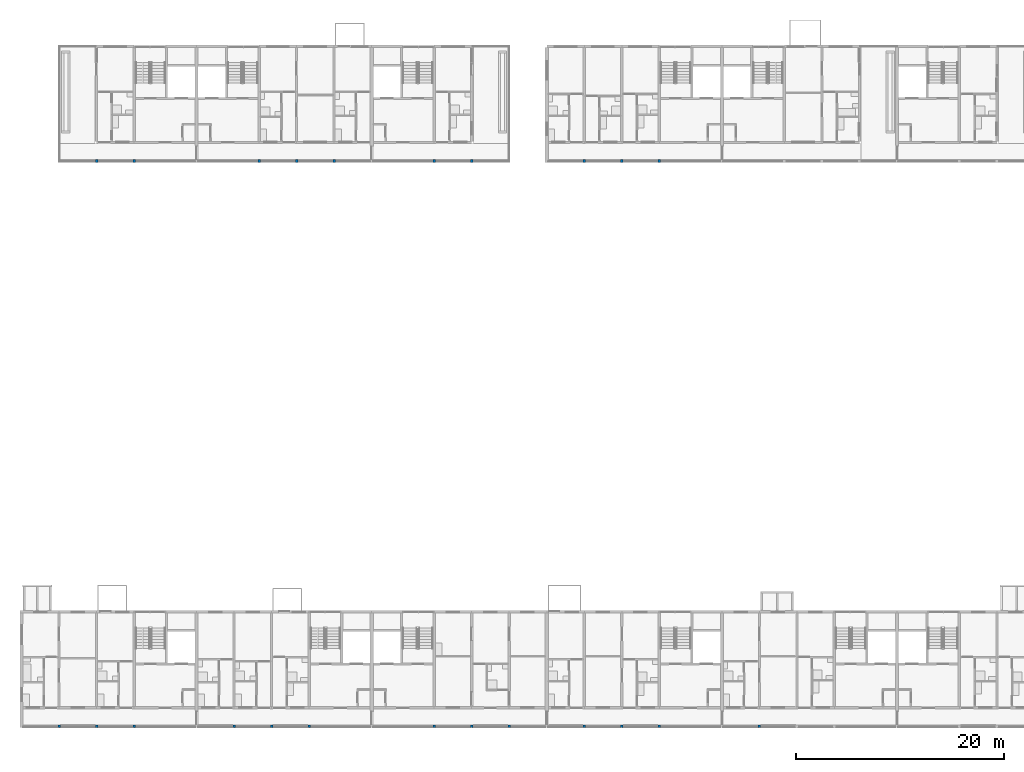
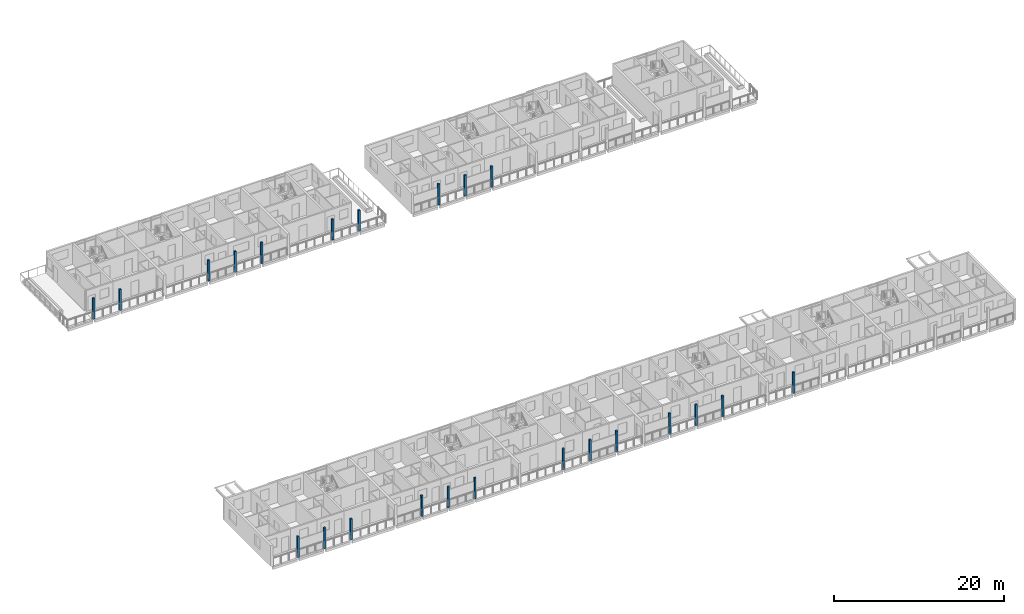
# One storey, part 1 of 94: 23 columns.
"""IFC4 building model written with IfcOpenShell, lengths in metres."""

from ifc_helpers import new_model, si_unit, direction, frame, origin, origin_2d, place, context, subcontext, project, spatial, rectangle, extrude, material, material_profile, profile_set, type_object, element, save


model = new_model("IFC4")

# Units and contexts
model_context = context("Model", 3, precision=1e-05, world=origin(), true_north=direction((0.0, 1.0)))
body_context = subcontext(model_context, "Body", "Model", "MODEL_VIEW")
ifc_project = project(units=[si_unit("LENGTHUNIT", "METRE"), si_unit("AREAUNIT", "SQUARE_METRE"), si_unit("VOLUMEUNIT", "CUBIC_METRE"), si_unit("PLANEANGLEUNIT", "RADIAN"), si_unit("MASSUNIT", "GRAM", prefix="KILO")], contexts=[model_context])

# Site, building, storey
site_placement = place(None, origin())
site = spatial("IfcSite", under=ifc_project, at=site_placement, CompositionType="ELEMENT")
building_placement = place(site_placement, origin())
building = spatial("IfcBuilding", under=site, at=building_placement, Name="Ridgestep Commons", CompositionType="ELEMENT")
storey_placement = place(building_placement, frame((0.0, 0.0, 21.0)))
storey = spatial("IfcBuildingStorey", under=building, at=storey_placement, Name="L07", CompositionType="ELEMENT", Elevation=21.0)

# Columns
ifc_material = material(Name="Precast concrete C40/50", Category="concrete")
ifc_material_profile = material_profile(ifc_material, rectangle(XDim=0.25, YDim=0.25, at=origin_2d()), Name="PC 250x250")
ifc_profile_set = profile_set([ifc_material_profile], Name="Precast concrete C40/50")
column_type = type_object("IfcColumnType", Name="Loggia column 250 x 250", PredefinedType="COLUMN", material=ifc_profile_set)
for number, where, z_axis, x_axis, name in (
    (1, (15.60009765625, 11.875, 0.0), (0.0, 0.0, 1.0), (1.0, 0.0, 0.0), "Loggia column A L07"),
    (2, (19.199951171875, 11.875, 0.0), (0.0, 0.0, 1.0), (1.0, 0.0, 0.0), "Loggia column A L07"),
    (3, (22.800048828125, 11.875, 0.0), (0.0, 0.0, 1.0), (1.0, 0.0, 0.0), "Loggia column A L07"),
    (4, (32.39990234375, 11.875, 0.0), (0.0, 0.0, 1.0), (1.0, 0.0, 0.0), "Loggia column A L07"),
    (5, (36.0, 11.875, 0.0), (0.0, 0.0, 1.0), (1.0, 0.0, 0.0), "Loggia column A L07"),
    (6, (39.60009765625, 11.875, 0.0), (0.0, 0.0, 1.0), (1.0, 0.0, 0.0), "Loggia column A L07"),
    (7, (51.60009765625, 11.875, 0.0), (0.0, 0.0, 1.0), (1.0, 0.0, 0.0), "Loggia column A L07"),
    (8, (55.199951171875, 11.875, 0.0), (0.0, 0.0, 1.0), (1.0, 0.0, 0.0), "Loggia column A L07"),
    (9, (58.800048828125, 11.875, 0.0), (0.0, 0.0, 1.0), (1.0, 0.0, 0.0), "Loggia column A L07"),
    (10, (66.0, 11.875, 0.0), (0.0, 0.0, 1.0), (1.0, 0.0, 0.0), "Loggia column A L07"),
    (11, (69.60009765625, 11.875, 0.0), (0.0, 0.0, 1.0), (1.0, 0.0, 0.0), "Loggia column A L07"),
    (12, (73.199951171875, 11.875, 0.0), (0.0, 0.0, 1.0), (1.0, 0.0, 0.0), "Loggia column A L07"),
    (13, (82.800048828125, 11.875, 0.0), (0.0, 0.0, 1.0), (1.0, 0.0, 0.0), "Loggia column A L07"),
    (14, (19.199951171875, 66.125, 0.0), (0.0, 0.0, 1.0), (1.0, 0.0, 0.0), "Loggia column B L07"),
    (15, (22.800048828125, 66.125, 0.0), (0.0, 0.0, 1.0), (1.0, 0.0, 0.0), "Loggia column B L07"),
    (16, (34.800048828125, 66.125, 0.0), (0.0, 0.0, 1.0), (1.0, 0.0, 0.0), "Loggia column B L07"),
    (17, (38.39990234375, 66.125, 0.0), (0.0, 0.0, 1.0), (1.0, 0.0, 0.0), "Loggia column B L07"),
    (18, (42.0, 66.125, 0.0), (0.0, 0.0, 1.0), (1.0, 0.0, 0.0), "Loggia column B L07"),
    (19, (51.60009765625, 66.125, 0.0), (0.0, 0.0, 1.0), (1.0, 0.0, 0.0), "Loggia column B L07"),
    (20, (55.199951171875, 66.125, 0.0), (0.0, 0.0, 1.0), (1.0, 0.0, 0.0), "Loggia column B L07"),
    (21, (66.0, 66.125, 0.0), (0.0, 0.0, 1.0), (1.0, 0.0, 0.0), "Loggia column B L07"),
    (22, (69.60009765625, 66.125, 0.0), (0.0, 0.0, 1.0), (1.0, 0.0, 0.0), "Loggia column B L07"),
    (23, (73.199951171875, 66.125, 0.0), (0.0, 0.0, 1.0), (1.0, 0.0, 0.0), "Loggia column B L07"),
):
    element("IfcColumn", number, at=place(storey_placement, frame(where, z_axis=z_axis, x_axis=x_axis)), inside=storey, type_object=column_type, Name=name, PredefinedType="COLUMN", context=body_context, shape_type="SweptSolid", body=[
        extrude(rectangle(XDim=0.25, YDim=0.25, at=origin_2d()), origin(), (0.0, 0.0, 1.0), 3.0),
    ])

save(model, "model.ifc")
